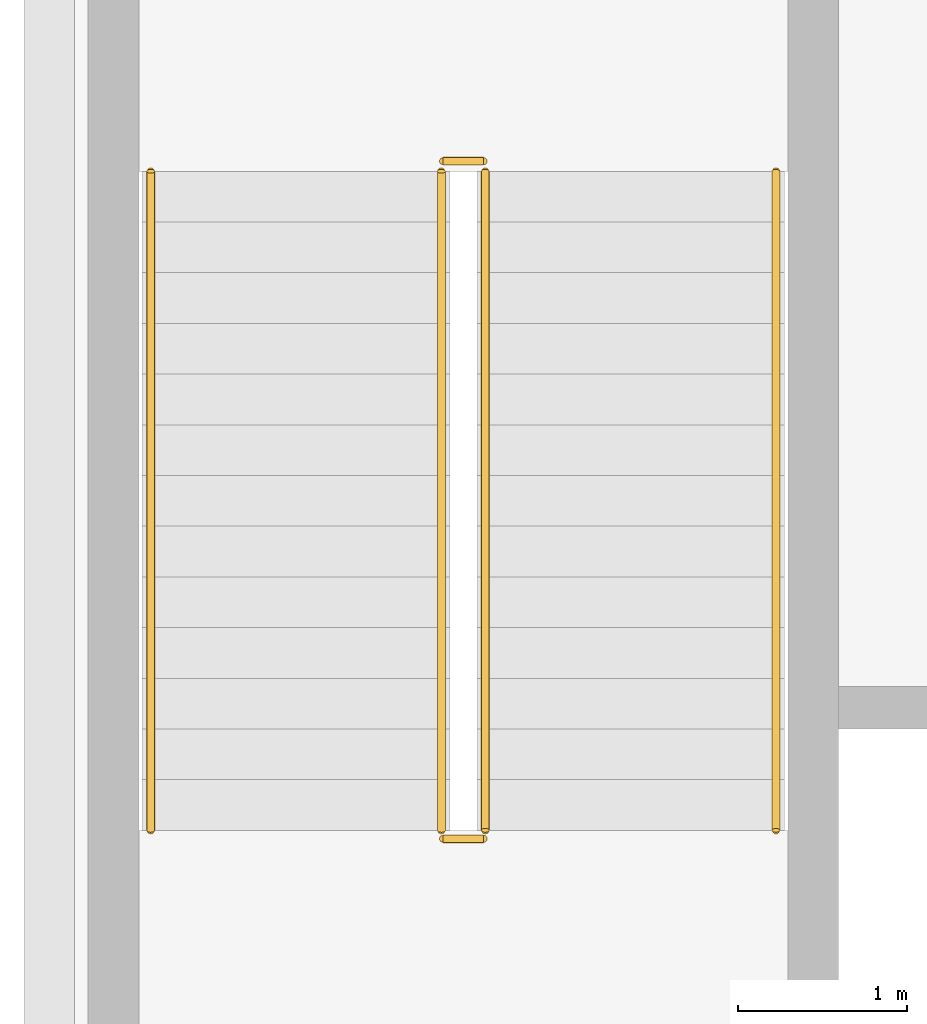
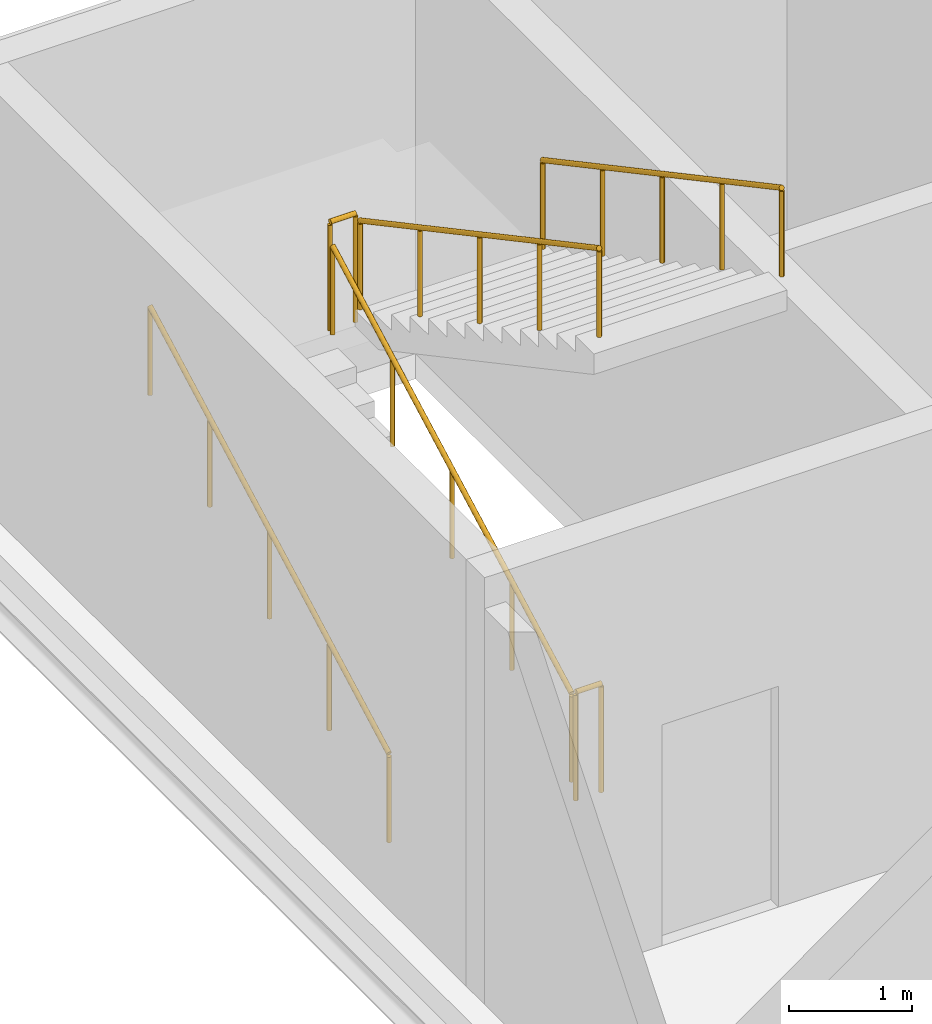
# One storey, part 105 of 109: 6 railings.
"""IFC4 building model written with IfcOpenShell, lengths in metres."""

from ifc_helpers import new_model, si_unit, direction, frame, origin, origin_2d, place, context, subcontext, project, spatial, circle, extrude, material, type_object, element, save


model = new_model("IFC4")

# Units and contexts
model_context = context("Model", 3, precision=1e-05, world=origin(), true_north=direction((0.0, 1.0)))
body_context = subcontext(model_context, "Body", "Model", "MODEL_VIEW")
ifc_project = project(units=[si_unit("LENGTHUNIT", "METRE"), si_unit("AREAUNIT", "SQUARE_METRE"), si_unit("VOLUMEUNIT", "CUBIC_METRE"), si_unit("PLANEANGLEUNIT", "RADIAN"), si_unit("MASSUNIT", "GRAM", prefix="KILO")], contexts=[model_context])

# Site, building, storey
site_placement = place(None, origin())
site = spatial("IfcSite", under=ifc_project, at=site_placement, CompositionType="ELEMENT")
building_placement = place(site_placement, origin())
building = spatial("IfcBuilding", under=site, at=building_placement, Name="Veltarok Museum of Natural Sciences", CompositionType="ELEMENT")
storey_placement = place(building_placement, frame((0.0, 0.0, 17.39990234375)))
storey = spatial("IfcBuildingStorey", under=building, at=storey_placement, Name="L03", CompositionType="ELEMENT", Elevation=17.39990234375)

# Railings
ifc_material = material(Name="Steel S355J2", Category="steel")
railing_type_1 = type_object("IfcRailingType", Name="Interior Atrium and Stairwell Guardrail 1100", PredefinedType="GUARDRAIL", material=ifc_material)
for number, where, name in (
    (1, (42.330078125, 65.050048828125, 0.0), "Stairwell Floor Guard ST-03 L03"),
    (2, (42.330078125, 69.06005859375, 2.25), "Landing Well Guard ST-03-L03-L1"),
):
    element("IfcRailing", number, at=place(storey_placement, frame(where)), inside=storey, type_object=railing_type_1, Name=name, PredefinedType="GUARDRAIL", context=body_context, shape_type="SweptSolid", body=[
        extrude(circle(Radius=0.02392578125, at=origin_2d()), frame((0.0, 0.0, 1.076171875), z_axis=(1.0, 0.0, 0.0), x_axis=(0.0, 1.0, 0.0)), (0.0, 0.0, 1.0), 0.239990234375),
        extrude(circle(Radius=0.02099609375, at=origin_2d()), origin(), (0.0, 0.0, 1.0), 1.052001953125),
        extrude(circle(Radius=0.02099609375, at=origin_2d()), frame((0.239990234375, 0.0, 0.0)), (0.0, 0.0, 1.0), 1.052001953125),
    ])
railing_type_2 = type_object("IfcRailingType", Name="Stair Flight Tubular Steel Handrail 900", PredefinedType="HANDRAIL", material=ifc_material)
for number, where, name in (
    (3, (40.60009765625, 65.10009765625, 0.160888671875), "Stair Handrail ST-03-L03-F1L"),
    (4, (42.320068359375, 65.10009765625, 0.160888671875), "Stair Handrail ST-03-L03-F1R"),
):
    element("IfcRailing", number, at=place(storey_placement, frame(where)), inside=storey, type_object=railing_type_2, Name=name, PredefinedType="HANDRAIL", context=body_context, shape_type="SweptSolid", body=[
        extrude(circle(Radius=0.02392578125, at=origin_2d()), frame((0.0, 0.0, 0.8759765625), z_axis=(0.0, 0.881491454809, 0.472199973632), x_axis=(-1.0, 0.0, 0.0)), (0.0, 0.0, 1.0), 4.42431640625),
        extrude(circle(Radius=0.02099609375, at=origin_2d()), origin(), (0.0, 0.0, 1.0), 0.851806640625),
        extrude(circle(Radius=0.02099609375, at=origin_2d()), frame((0.0, 0.97509765625, 0.522216796875)), (0.0, 0.0, 1.0), 0.851806640625),
        extrude(circle(Radius=0.02099609375, at=origin_2d()), frame((0.0, 1.949951171875, 1.04443359375)), (0.0, 0.0, 1.0), 0.851806640625),
        extrude(circle(Radius=0.02099609375, at=origin_2d()), frame((0.0, 2.9248046875, 1.56689453125)), (0.0, 0.0, 1.0), 0.851806640625),
        extrude(circle(Radius=0.02099609375, at=origin_2d()), frame((0.0, 3.89990234375, 2.089111328125)), (0.0, 0.0, 1.0), 0.851806640625),
    ])
for number, where, name in (
    (5, (42.580078125, 69.0, 2.410888671875), "Stair Handrail ST-03-L03-F2L"),
    (6, (44.300048828125, 69.0, 2.410888671875), "Stair Handrail ST-03-L03-F2R"),
):
    element("IfcRailing", number, at=place(storey_placement, frame(where)), inside=storey, type_object=railing_type_2, Name=name, PredefinedType="HANDRAIL", context=body_context, shape_type="SweptSolid", body=[
        extrude(circle(Radius=0.02392578125, at=origin_2d()), frame((0.0, 0.0, 0.8759765625), z_axis=(0.0, -0.881491454809, 0.472199973632), x_axis=(1.0, 0.0, 0.0)), (0.0, 0.0, 1.0), 4.42431640625),
        extrude(circle(Radius=0.02099609375, at=origin_2d()), origin(), (0.0, 0.0, 1.0), 0.851806640625),
        extrude(circle(Radius=0.02099609375, at=origin_2d()), frame((0.0, -0.97509765625, 0.522216796875)), (0.0, 0.0, 1.0), 0.851806640625),
        extrude(circle(Radius=0.02099609375, at=origin_2d()), frame((0.0, -1.949951171875, 1.04443359375)), (0.0, 0.0, 1.0), 0.851806640625),
        extrude(circle(Radius=0.02099609375, at=origin_2d()), frame((0.0, -2.9248046875, 1.56689453125)), (0.0, 0.0, 1.0), 0.851806640625),
        extrude(circle(Radius=0.02099609375, at=origin_2d()), frame((0.0, -3.89990234375, 2.089111328125)), (0.0, 0.0, 1.0), 0.851806640625),
    ])

save(model, "model.ifc")
